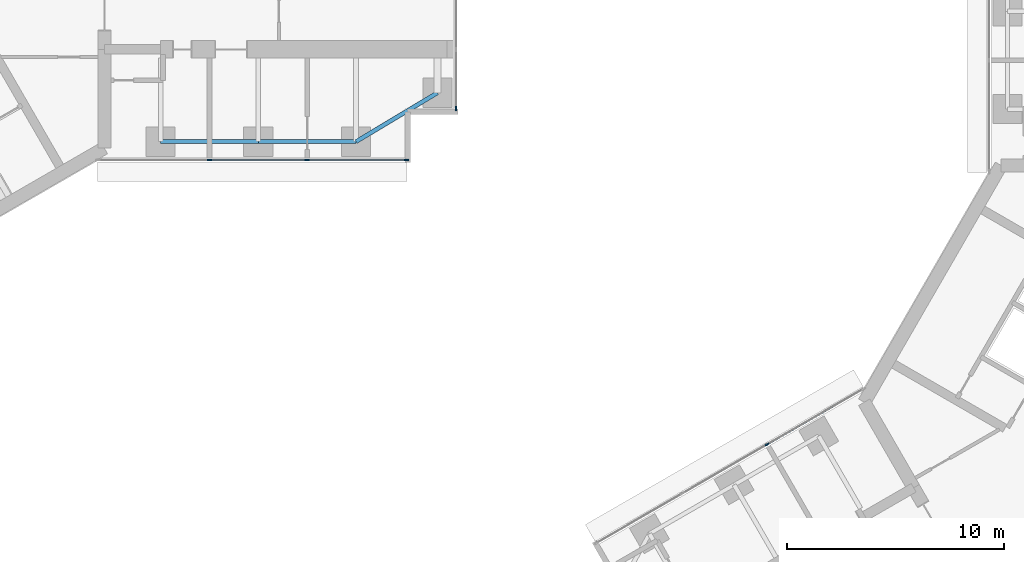
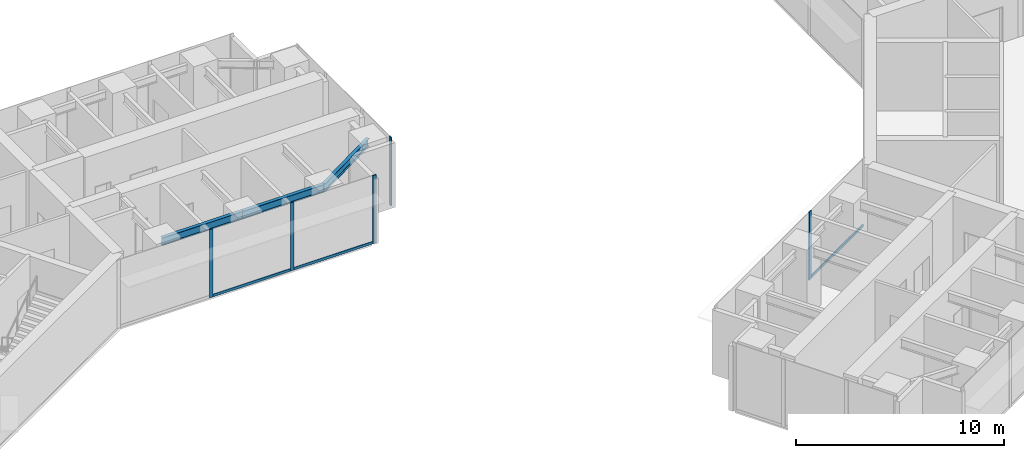
# One storey, part 4 of 21: 8 members, 3 beams, 3 elements without a shape of their own.
"""IFC4 building model written with IfcOpenShell, lengths in metres."""

from ifc_helpers import new_model, si_unit, direction, frame, origin, origin_2d, place, context, subcontext, project, spatial, rectangle, i_section, extrude, material, material_profile, profile_set, type_object, element, aggregate, save


model = new_model("IFC4")

# Units and contexts
model_context = context("Model", 3, precision=1e-05, world=origin(), true_north=direction((0.0, 1.0)))
body_context = subcontext(model_context, "Body", "Model", "MODEL_VIEW")
ifc_project = project(units=[si_unit("LENGTHUNIT", "METRE"), si_unit("AREAUNIT", "SQUARE_METRE"), si_unit("VOLUMEUNIT", "CUBIC_METRE"), si_unit("PLANEANGLEUNIT", "RADIAN"), si_unit("MASSUNIT", "GRAM", prefix="KILO")], contexts=[model_context])

# Site, building, storey
site_placement = place(None, origin())
site = spatial("IfcSite", under=ifc_project, at=site_placement, CompositionType="ELEMENT")
building_placement = place(site_placement, origin())
building = spatial("IfcBuilding", under=site, at=building_placement, Name="Upepo Twin Towers", CompositionType="ELEMENT")
storey_placement = place(building_placement, frame((0.0, 0.0, 113.5)))
storey = spatial("IfcBuildingStorey", under=building, at=storey_placement, Name="L27", CompositionType="ELEMENT", Elevation=113.5)

# Beams
ifc_material_1 = material(Name="Steel S355", Category="steel")
ifc_material_profile_1 = material_profile(ifc_material_1, i_section(OverallWidth=0.1904296875, OverallDepth=0.45703125, WebThickness=0.009033203125, FlangeThickness=0.014404296875, FilletRadius=0.01025390625, at=origin_2d()), Name="UB 457x191x74")
ifc_profile_set_1 = profile_set([ifc_material_profile_1], Name="Steel S355")
beam_type = type_object("IfcBeamType", Name="Beam UB 457x191x74", PredefinedType="BEAM", material=ifc_profile_set_1)
for number, where, z_axis, x_axis, name in (
    (1, (13.5, -6.0, 3.571533203125), (1.0, 0.0, 0.0), (0.0, 1.0, 0.0), "T1 edge beam AR 13.5-18.0"),
    (2, (18.0, -6.0, 3.571533203125), (1.0, 0.0, 0.0), (0.0, 1.0, 0.0), "T1 edge beam AR 18.0-22.5"),
):
    element("IfcBeam", number, at=place(storey_placement, frame(where, z_axis=z_axis, x_axis=x_axis)), inside=storey, type_object=beam_type, Name=name, PredefinedType="BEAM", context=body_context, shape_type="SweptSolid", body=[
        extrude(i_section(OverallWidth=0.1904296875, OverallDepth=0.45703125, WebThickness=0.009033203125, FlangeThickness=0.014404296875, FilletRadius=0.01025390625, at=origin_2d()), origin(), (0.0, 0.0, 1.0), 4.5),
    ])
beam_placement = place(storey_placement, frame((22.5, -6.0, 3.571533203125), z_axis=(0.857492925713, 0.514495755428, 0.0), x_axis=(-0.514495755428, 0.857492925713, 0.0)))
element("IfcBeam", 3, at=beam_placement, inside=storey, type_object=beam_type, Name="T1 nose edge beam AR", PredefinedType="BEAM", context=body_context, shape_type="SweptSolid", body=[
    extrude(i_section(OverallWidth=0.1904296875, OverallDepth=0.45703125, WebThickness=0.009033203125, FlangeThickness=0.014404296875, FilletRadius=0.01025390625, at=origin_2d()), origin(), (0.0, 0.0, 1.0), 4.373291015625),
])

# Curtain wall, members
ifc_material_2 = material(Name="Aluminium and fritted glass", Category="aluminium")
curtain_wall_type = type_object("IfcCurtainWallType", Name="Tower curtain wall TW2, fritted glass", PredefinedType="NOTDEFINED", material=ifc_material_2)
curtain_wall_1_placement = place(storey_placement, origin())
curtain_wall_1 = element("IfcCurtainWall", 4, at=curtain_wall_1_placement, inside=storey, type_object=curtain_wall_type, Name="T1 L27 wing A flank R curtain wall", PredefinedType="NOTDEFINED")
ifc_material_3 = material(Name="Aluminium mullion", Category="aluminium")
ifc_material_profile_2 = material_profile(ifc_material_3, rectangle(XDim=0.06494140625, YDim=0.199951171875, at=origin_2d()), Name="MULLION 65x200")
ifc_profile_set_2 = profile_set([ifc_material_profile_2], Name="Aluminium mullion")
member_type_1 = type_object("IfcMemberType", Name="Mullion 65x200 TW2", PredefinedType="MULLION", material=ifc_profile_set_2)
member_1_placement = place(storey_placement, frame((24.8173828125, -6.85009765625, 0.0), z_axis=(0.0, 0.0, 1.0), x_axis=(0.0, -1.0, 0.0)))
member_1 = element("IfcMember", 5, at=member_1_placement, type_object=member_type_1, Name="T1 L27 wing A flank R curtain wall mullion 1", PredefinedType="MULLION", context=body_context, shape_type="SweptSolid", body=[
    extrude(rectangle(XDim=0.06494140625, YDim=0.199951171875, at=origin_2d()), origin(), (0.0, 0.0, 1.0), 4.0),
])
member_2_placement = place(storey_placement, frame((20.25, -6.85009765625, 0.0), z_axis=(0.0, 0.0, 1.0), x_axis=(0.0, -1.0, 0.0)))
member_2 = element("IfcMember", 6, at=member_2_placement, type_object=member_type_1, Name="T1 L27 wing A flank R curtain wall mullion 2", PredefinedType="MULLION", context=body_context, shape_type="SweptSolid", body=[
    extrude(rectangle(XDim=0.06494140625, YDim=0.199951171875, at=origin_2d()), origin(), (0.0, 0.0, 1.0), 4.0),
])
member_3_placement = place(storey_placement, frame((15.75, -6.85009765625, 0.0), z_axis=(0.0, 0.0, 1.0), x_axis=(0.0, -1.0, 0.0)))
member_3 = element("IfcMember", 7, at=member_3_placement, type_object=member_type_1, Name="T1 L27 wing A flank R curtain wall mullion 3", PredefinedType="MULLION", context=body_context, shape_type="SweptSolid", body=[
    extrude(rectangle(XDim=0.06494140625, YDim=0.199951171875, at=origin_2d()), origin(), (0.0, 0.0, 1.0), 4.0),
])

# Curtain wall, member
curtain_wall_2_placement = place(storey_placement, origin())
curtain_wall_2 = element("IfcCurtainWall", 8, at=curtain_wall_2_placement, inside=storey, type_object=curtain_wall_type, Name="T1 L27 wing A nose curtain wall", PredefinedType="NOTDEFINED")
member_4_placement = place(storey_placement, frame((27.10009765625, -4.467529296875, 0.0), z_axis=(0.0, 0.0, 1.0), x_axis=(-1.0, 0.0, 0.0)))
member_4 = element("IfcMember", 9, at=member_4_placement, type_object=member_type_1, Name="T1 L27 wing A nose curtain wall mullion 1", PredefinedType="MULLION", context=body_context, shape_type="SweptSolid", body=[
    extrude(rectangle(XDim=0.06494140625, YDim=0.199951171875, at=origin_2d()), origin(), (0.0, 0.0, 1.0), 4.0),
])
aggregate(curtain_wall_2, [member_4])

curtain_wall_3_placement = place(storey_placement, origin())
curtain_wall_3 = element("IfcCurtainWall", 10, at=curtain_wall_3_placement, inside=storey, type_object=curtain_wall_type, Name="T2 L27 wing B flank R curtain wall", PredefinedType="NOTDEFINED")
member_5_placement = place(storey_placement, frame((41.43505859375, -19.942626953125, 0.0), z_axis=(0.0, 0.0, 1.0), x_axis=(-0.500000010308, 0.866025397833, 0.0)))
member_5 = element("IfcMember", 11, at=member_5_placement, type_object=member_type_1, Name="T2 L27 wing B flank R curtain wall mullion 3", PredefinedType="MULLION", context=body_context, shape_type="SweptSolid", body=[
    extrude(rectangle(XDim=0.06494140625, YDim=0.199951171875, at=origin_2d()), origin(), (0.0, 0.0, 1.0), 4.0),
])

# Member
ifc_material_4 = material(Name="Aluminium transom", Category="aluminium")
ifc_material_profile_3 = material_profile(ifc_material_4, rectangle(XDim=0.06494140625, YDim=0.14990234375, at=origin_2d()), Name="TRANSOM 65x150")
ifc_profile_set_3 = profile_set([ifc_material_profile_3], Name="Aluminium transom")
member_type_2 = type_object("IfcMemberType", Name="Transom 65x150 TW2", PredefinedType="USERDEFINED", material=ifc_profile_set_3)
member_6_placement = place(storey_placement, frame((24.784912109375, -6.85009765625, 0.074951171875), z_axis=(-1.0, 0.0, 0.0), x_axis=(0.0, -1.0, 0.0)))
member_6 = element("IfcMember", 12, at=member_6_placement, type_object=member_type_2, Name="T1 L27 wing A flank R curtain wall transom 1", ObjectType="TRANSOM", PredefinedType="USERDEFINED", context=body_context, shape_type="SweptSolid", body=[
    extrude(rectangle(XDim=0.06494140625, YDim=0.14990234375, at=origin_2d()), origin(), (0.0, 0.0, 1.0), 4.50244140625),
])

member_7_placement = place(storey_placement, frame((20.217529296875, -6.85009765625, 0.074951171875), z_axis=(-1.0, 0.0, 0.0), x_axis=(0.0, -1.0, 0.0)))
member_7 = element("IfcMember", 13, at=member_7_placement, type_object=member_type_2, Name="T1 L27 wing A flank R curtain wall transom 2", ObjectType="TRANSOM", PredefinedType="USERDEFINED", context=body_context, shape_type="SweptSolid", body=[
    extrude(rectangle(XDim=0.06494140625, YDim=0.14990234375, at=origin_2d()), origin(), (0.0, 0.0, 1.0), 4.43505859375),
])

aggregate(curtain_wall_1, [member_1, member_2, member_3, member_6, member_7])

member_8_placement = place(storey_placement, frame((41.463134765625, -19.926513671875, 0.074951171875), z_axis=(0.866033897268, 0.499985288567, 0.0), x_axis=(-0.499985288567, 0.866033897268, 0.0)))
member_8 = element("IfcMember", 14, at=member_8_placement, type_object=member_type_2, Name="T2 L27 wing B flank R curtain wall transom 3", ObjectType="TRANSOM", PredefinedType="USERDEFINED", context=body_context, shape_type="SweptSolid", body=[
    extrude(rectangle(XDim=0.06494140625, YDim=0.14990234375, at=origin_2d()), origin(), (0.0, 0.0, 1.0), 5.065673828125),
])

aggregate(curtain_wall_3, [member_5, member_8])

save(model, "model.ifc")
